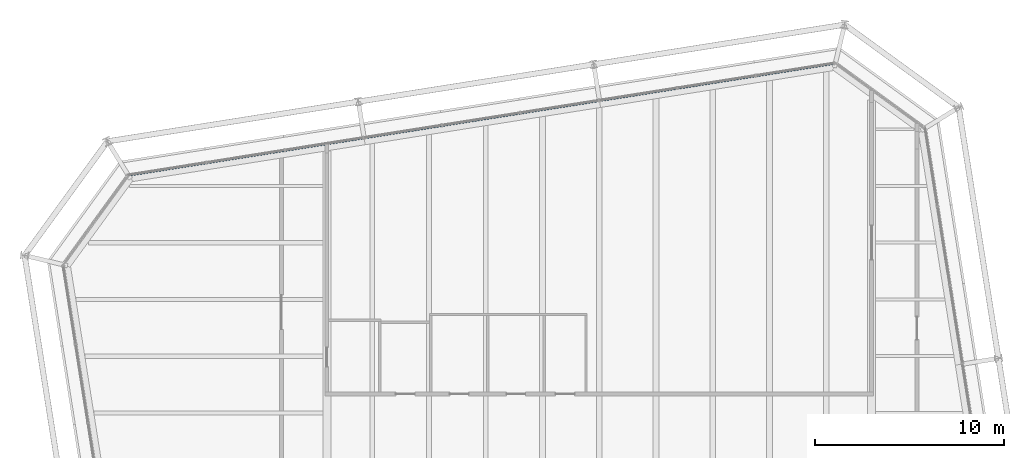
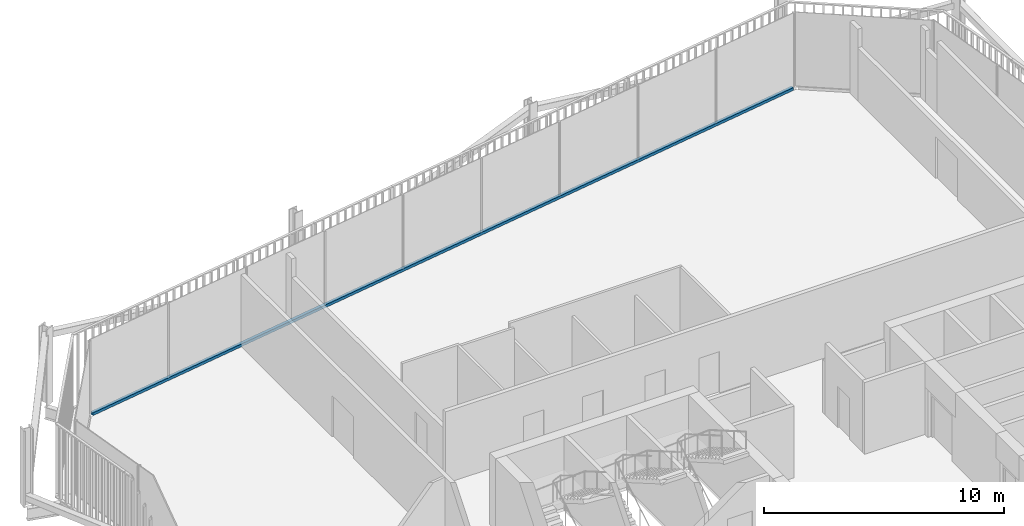
# One storey, part 14 of 21: 1 member, 1 element without a shape of its own.
"""IFC4 building model written with IfcOpenShell, lengths in metres."""

from ifc_helpers import new_model, si_unit, direction, frame, origin, origin_2d, place, context, subcontext, project, spatial, rectangle, extrude, material, layer, layer_set, material_profile, profile_set, type_object, element, aggregate, save


model = new_model("IFC4")

# Units and contexts
model_context = context("Model", 3, precision=1e-05, world=origin(), true_north=direction((0.0, 1.0)))
body_context = subcontext(model_context, "Body", "Model", "MODEL_VIEW")
ifc_project = project(units=[si_unit("LENGTHUNIT", "METRE"), si_unit("AREAUNIT", "SQUARE_METRE"), si_unit("VOLUMEUNIT", "CUBIC_METRE"), si_unit("PLANEANGLEUNIT", "RADIAN"), si_unit("MASSUNIT", "GRAM", prefix="KILO")], contexts=[model_context])

# Site, building, storey
site_placement = place(None, origin())
site = spatial("IfcSite", under=ifc_project, at=site_placement, CompositionType="ELEMENT")
building_placement = place(site_placement, origin())
building = spatial("IfcBuilding", under=site, at=building_placement, Name="Millrace Tower", CompositionType="ELEMENT")
storey_placement = place(building_placement, frame((0.0, 0.0, 263.0)))
storey = spatial("IfcBuildingStorey", under=building, at=storey_placement, Name="L60", CompositionType="ELEMENT", Elevation=263.0)

# Curtain wall, member
ifc_material_1 = material(Name="Aluminium and glass", Category="aluminium")
ifc_layer = layer(ifc_material_1, 0.14990234375)
ifc_layer_set = layer_set([ifc_layer], Name="Aluminium and glass")
curtain_wall_type = type_object("IfcCurtainWallType", Name="CW-1 office vision curtain wall", PredefinedType="NOTDEFINED", material=ifc_layer_set)
curtain_wall_placement = place(storey_placement, origin())
curtain_wall = element("IfcCurtainWall", 1, at=curtain_wall_placement, inside=storey, type_object=curtain_wall_type, Name="Curtain wall D-F06 L60", PredefinedType="NOTDEFINED")
ifc_material_2 = material(Name="Aluminium", Category="aluminium")
ifc_material_profile = material_profile(ifc_material_2, rectangle(XDim=0.14990234375, YDim=0.139892578125, at=origin_2d()))
ifc_profile_set = profile_set([ifc_material_profile], Name="Aluminium")
member_type = type_object("IfcMemberType", Name="CW-1 office vision curtain wall transom", PredefinedType="USERDEFINED", material=ifc_profile_set)
member_placement = place(storey_placement, frame((12.35888671875, 30.48193359375, 0.070068359375), z_axis=(-0.987687829698, -0.156437690685, 0.0), x_axis=(0.156437690685, -0.987687829698, 0.0)))
member = element("IfcMember", 2, at=member_placement, type_object=member_type, Name="CW1 transom D-F06.1", ObjectType="TRANSOM", PredefinedType="USERDEFINED", context=body_context, shape_type="SweptSolid", body=[
    extrude(rectangle(XDim=0.14990234375, YDim=0.139892578125, at=origin_2d()), origin(), (0.0, 0.0, 1.0), 37.60009765625),
])
aggregate(curtain_wall, [member])

save(model, "model.ifc")
